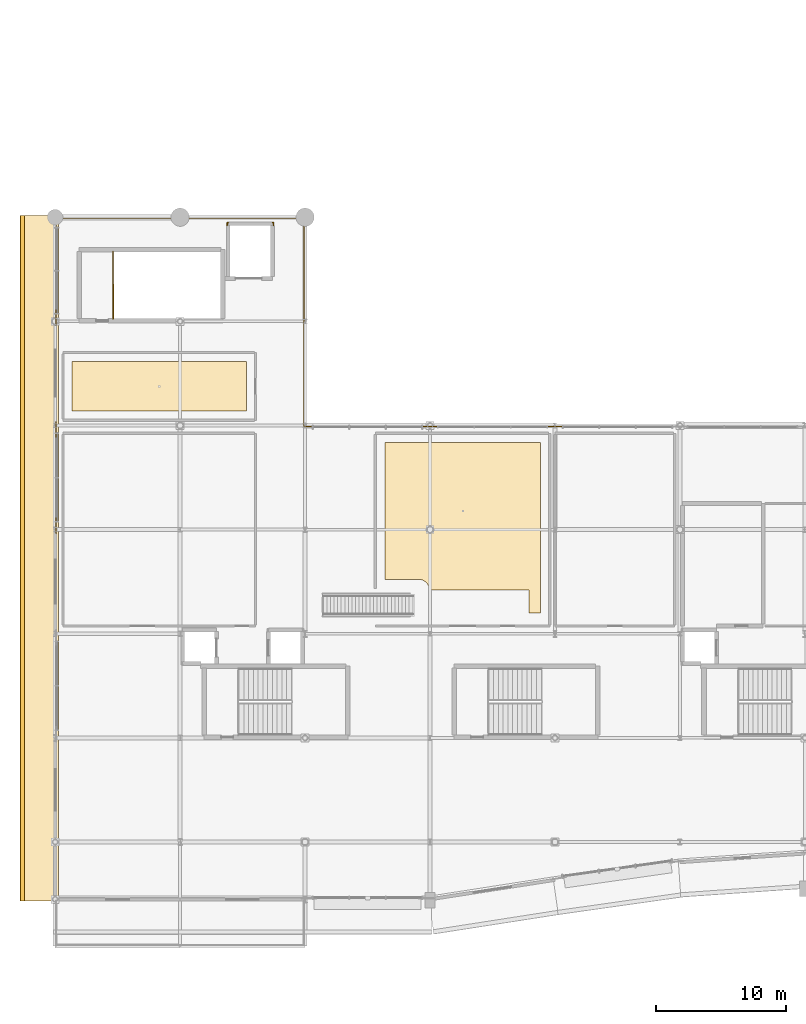
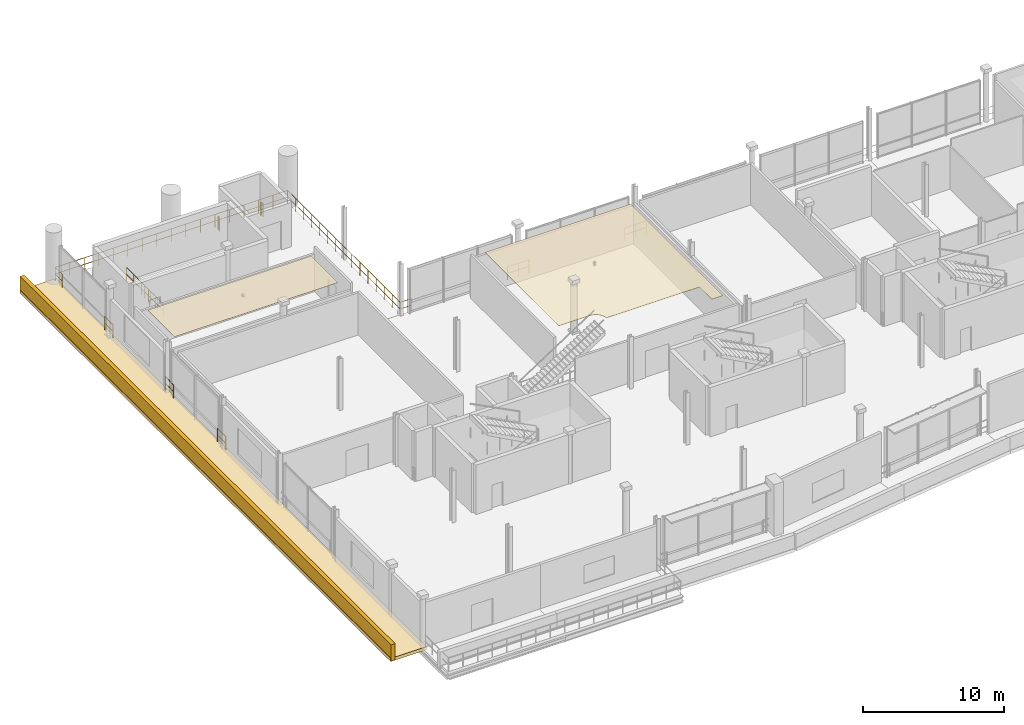
# One storey, part 50 of 59: 10 railings, 4 coverings.
"""IFC4 building model written with IfcOpenShell, lengths in metres."""

from ifc_helpers import new_model, si_unit, direction, frame, origin, origin_2d, place, context, subcontext, project, spatial, polyline, rectangle, circle, outline, extrude, material, layer, layer_set, type_object, element, save


model = new_model("IFC4")

# Units and contexts
model_context = context("Model", 3, precision=1e-05, world=origin(), true_north=direction((0.0, 1.0)))
body_context = subcontext(model_context, "Body", "Model", "MODEL_VIEW")
ifc_project = project(units=[si_unit("LENGTHUNIT", "METRE"), si_unit("AREAUNIT", "SQUARE_METRE"), si_unit("VOLUMEUNIT", "CUBIC_METRE"), si_unit("PLANEANGLEUNIT", "RADIAN"), si_unit("MASSUNIT", "GRAM", prefix="KILO")], contexts=[model_context])

# Site, building, storey
site_placement = place(None, origin())
site = spatial("IfcSite", under=ifc_project, at=site_placement, CompositionType="ELEMENT")
building_placement = place(site_placement, origin())
building = spatial("IfcBuilding", under=site, at=building_placement, Name="Danafjord Basin Convention Centre", CompositionType="ELEMENT")
storey_placement = place(building_placement, frame((0.0, 0.0, 15.89990234375)))
storey = spatial("IfcBuildingStorey", under=building, at=storey_placement, Name="L03", CompositionType="ELEMENT", Elevation=15.89990234375)

# Coverings
ifc_material_1 = material(Name="Architectural white precast concrete C45/55", Category="concrete")
ifc_layer_1 = layer(ifc_material_1, 0.320068359375)
ifc_layer_set_1 = layer_set([ifc_layer_1], Name="Architectural white precast concrete C45/55")
covering_type_1 = type_object("IfcCoveringType", Name="COV-BAND-HORIZ", PredefinedType="CLADDING", material=ifc_layer_set_1)
covering_1_placement = place(storey_placement, frame((-1.22509765625, 29.800048828125, -0.27978515625), z_axis=(0.0, 0.0, 1.0), x_axis=(0.0, -1.0, 0.0)))
element("IfcCovering", 1, at=covering_1_placement, inside=storey, type_object=covering_type_1, Name="L03 stepped horizontal band soffit plate 36", PredefinedType="CLADDING", context=body_context, shape_type="SweptSolid", body=[
    extrude(rectangle(XDim=52.639892578125, YDim=2.949951171875, at=origin_2d()), origin(), (0.0, 0.0, 1.0), 0.280029296875),
])
covering_2_placement = place(storey_placement, frame((-2.510009765625, 29.800048828125, -0.23974609375), z_axis=(0.0, 0.0, 1.0), x_axis=(0.0, -1.0, 0.0)))
element("IfcCovering", 2, at=covering_2_placement, inside=storey, type_object=covering_type_1, Name="L03 layered horizontal white spandrel band 36", PredefinedType="CLADDING", context=body_context, shape_type="SweptSolid", body=[
    extrude(rectangle(XDim=52.679931640625, YDim=0.320068359375, at=origin_2d()), origin(), (0.0, 0.0, 1.0), 1.419921875),
])
ifc_material_2 = material(Name="Acoustic mineral-fibre tile ceiling")
ifc_layer_2 = layer(ifc_material_2, 0.030029296875)
ifc_layer_set_2 = layer_set([ifc_layer_2], Name="Acoustic mineral-fibre tile ceiling")
covering_type_2 = type_object("IfcCoveringType", Name="COV-CLG-GYP01", PredefinedType="CEILING", material=ifc_layer_set_2)
covering_3_placement = place(storey_placement, frame((0.0, 0.0, 4.0)))
element("IfcCovering", 3, at=covering_3_placement, inside=storey, type_object=covering_type_2, Name="Skagerrak Boardroom Suite M302 acoustic ceiling", PredefinedType="CEILING", context=body_context, shape_type="SweptSolid", body=[
    extrude(outline(polyline([(28.759033203125, 27.368896484375), (28.758056640625, 27.385009765625), (28.7529296875, 27.43408203125), (28.7509765625, 27.448974609375), (28.73291015625, 27.535888671875), (28.72900390625, 27.551025390625), (28.717041015625, 27.592041015625), (28.7119140625, 27.60693359375), (28.674072265625, 27.698974609375), (28.6669921875, 27.712890625), (28.64892578125, 27.7470703125), (28.64111328125, 27.760986328125), (28.60888671875, 27.81201171875), (28.60009765625, 27.824951171875), (28.56103515625, 27.8759765625), (28.51904296875, 27.922119140625), (28.4970703125, 27.944091796875), (28.450927734375, 27.986083984375), (28.39990234375, 28.02490234375), (28.386962890625, 28.033935546875), (28.3359375, 28.06591796875), (28.322021484375, 28.073974609375), (28.2880859375, 28.092041015625), (28.27392578125, 28.09912109375), (28.181884765625, 28.136962890625), (28.1669921875, 28.14208984375), (28.1259765625, 28.154052734375), (28.111083984375, 28.157958984375), (28.02392578125, 28.176025390625), (28.009033203125, 28.177978515625), (27.9599609375, 28.18310546875), (27.944091796875, 28.18408203125), (27.89990234375, 28.18505859375), (25.35009765625, 28.18505859375), (25.35009765625, 38.699951171875), (37.300048828125, 38.699951171875), (37.300048828125, 25.590087890625), (36.39990234375, 25.590087890625), (36.39990234375, 27.35009765625), (28.759033203125, 27.35009765625), (28.759033203125, 27.368896484375)])), origin(), (0.0, 0.0, 1.0), 0.030029296875),
])
covering_4_placement = place(storey_placement, frame((0.0, 0.0, 3.64501953125)))
element("IfcCovering", 4, at=covering_4_placement, inside=storey, type_object=covering_type_2, Name="West Link Seminar Room M305 acoustic ceiling", PredefinedType="CEILING", context=body_context, shape_type="SweptSolid", body=[
    extrude(outline(polyline([(14.699951171875, 44.89990234375), (14.699951171875, 41.10009765625), (1.300048828125, 41.10009765625), (1.300048828125, 44.89990234375), (14.699951171875, 44.89990234375)])), origin(), (0.0, 0.0, 1.0), 0.030029296875),
])

# Railings
ifc_material_3 = material(Name="Laminated structural glass and stainless steel", Category="steel")
railing_type_1 = type_object("IfcRailingType", Name="RL-BAL-GLS", PredefinedType="BALUSTRADE", material=ifc_material_3)
for number, where, name in (
    (5, (0.080078125, 31.719970703125, 0.0), "L03 safety guard balustrade 235"),
    (6, (0.080078125, 39.1201171875, 0.0), "L03 safety guard balustrade 236"),
    (7, (0.080078125, 47.719970703125, 0.0), "L03 safety guard balustrade 237"),
):
    element("IfcRailing", number, at=place(storey_placement, frame(where)), inside=storey, type_object=railing_type_1, Name=name, PredefinedType="BALUSTRADE", context=body_context, shape_type="SweptSolid", body=[
        extrude(circle(Radius=0.02392578125, at=origin_2d()), frame((0.0, 0.0, 1.1259765625), z_axis=(0.0, 1.0, 0.0), x_axis=(-1.0, 0.0, 0.0)), (0.0, 0.0, 1.0), 1.159912109375),
        extrude(circle(Radius=0.02392578125, at=origin_2d()), frame((0.0, 0.0, 0.55078125), z_axis=(0.0, 1.0, 0.0), x_axis=(-1.0, 0.0, 0.0)), (0.0, 0.0, 1.0), 1.159912109375),
        extrude(circle(Radius=0.02099609375, at=origin_2d()), origin(), (0.0, 0.0, 1.0), 1.099853515625),
        extrude(circle(Radius=0.02099609375, at=origin_2d()), frame((0.0, 1.159912109375, 0.0)), (0.0, 0.0, 1.0), 1.099853515625),
    ])
railing_1_placement = place(storey_placement, frame((0.080078125, 54.919921875, 0.0)))
element("IfcRailing", 8, at=railing_1_placement, inside=storey, type_object=railing_type_1, Name="L03 safety guard balustrade 238", PredefinedType="BALUSTRADE", context=body_context, shape_type="SweptSolid", body=[
    extrude(circle(Radius=0.02392578125, at=origin_2d()), frame((0.0, 0.0, 1.1259765625), z_axis=(0.0, 1.0, 0.0), x_axis=(-1.0, 0.0, 0.0)), (0.0, 0.0, 1.0), 1.0),
    extrude(circle(Radius=0.02392578125, at=origin_2d()), frame((0.0, 0.0, 0.55078125), z_axis=(0.0, 1.0, 0.0), x_axis=(-1.0, 0.0, 0.0)), (0.0, 0.0, 1.0), 1.0),
    extrude(circle(Radius=0.02392578125, at=origin_2d()), frame((0.0, 1.0, 1.1259765625), z_axis=(1.0, 0.0, 0.0), x_axis=(0.0, 1.0, 0.0)), (0.0, 0.0, 1.0), 19.0400390625),
    extrude(circle(Radius=0.02392578125, at=origin_2d()), frame((0.0, 1.0, 0.55078125), z_axis=(1.0, 0.0, 0.0), x_axis=(0.0, 1.0, 0.0)), (0.0, 0.0, 1.0), 19.0400390625),
    extrude(circle(Radius=0.02392578125, at=origin_2d()), frame((19.0400390625, 1.0, 1.1259765625), z_axis=(0.0, -1.0, 0.0), x_axis=(1.0, 0.0, 0.0)), (0.0, 0.0, 1.0), 16.0),
    extrude(circle(Radius=0.02392578125, at=origin_2d()), frame((19.0400390625, 1.0, 0.55078125), z_axis=(0.0, -1.0, 0.0), x_axis=(1.0, 0.0, 0.0)), (0.0, 0.0, 1.0), 16.0),
    extrude(circle(Radius=0.02392578125, at=origin_2d()), frame((19.0400390625, -15.0, 1.1259765625), z_axis=(1.0, 0.0, 0.0), x_axis=(0.0, 1.0, 0.0)), (0.0, 0.0, 1.0), 0.9599609375),
    extrude(circle(Radius=0.02392578125, at=origin_2d()), frame((19.0400390625, -15.0, 0.55078125), z_axis=(1.0, 0.0, 0.0), x_axis=(0.0, 1.0, 0.0)), (0.0, 0.0, 1.0), 0.9599609375),
    extrude(circle(Radius=0.02099609375, at=origin_2d()), origin(), (0.0, 0.0, 1.0), 1.099853515625),
    extrude(circle(Radius=0.02099609375, at=origin_2d()), frame((0.0, 1.0, 0.0)), (0.0, 0.0, 1.0), 1.099853515625),
    extrude(circle(Radius=0.02099609375, at=origin_2d()), frame((1.18994140625, 1.0, 0.0)), (0.0, 0.0, 1.0), 1.099853515625),
    extrude(circle(Radius=0.02099609375, at=origin_2d()), frame((2.3798828125, 1.0, 0.0)), (0.0, 0.0, 1.0), 1.099853515625),
    extrude(circle(Radius=0.02099609375, at=origin_2d()), frame((3.570068359375, 1.0, 0.0)), (0.0, 0.0, 1.0), 1.099853515625),
    extrude(circle(Radius=0.02099609375, at=origin_2d()), frame((4.760009765625, 1.0, 0.0)), (0.0, 0.0, 1.0), 1.099853515625),
    extrude(circle(Radius=0.02099609375, at=origin_2d()), frame((5.949951171875, 1.0, 0.0)), (0.0, 0.0, 1.0), 1.099853515625),
    extrude(circle(Radius=0.02099609375, at=origin_2d()), frame((7.14013671875, 1.0, 0.0)), (0.0, 0.0, 1.0), 1.099853515625),
    extrude(circle(Radius=0.02099609375, at=origin_2d()), frame((8.330078125, 1.0, 0.0)), (0.0, 0.0, 1.0), 1.099853515625),
    extrude(circle(Radius=0.02099609375, at=origin_2d()), frame((9.52001953125, 1.0, 0.0)), (0.0, 0.0, 1.0), 1.099853515625),
    extrude(circle(Radius=0.02099609375, at=origin_2d()), frame((10.7099609375, 1.0, 0.0)), (0.0, 0.0, 1.0), 1.099853515625),
    extrude(circle(Radius=0.02099609375, at=origin_2d()), frame((11.89990234375, 1.0, 0.0)), (0.0, 0.0, 1.0), 1.099853515625),
    extrude(circle(Radius=0.02099609375, at=origin_2d()), frame((13.090087890625, 1.0, 0.0)), (0.0, 0.0, 1.0), 1.099853515625),
    extrude(circle(Radius=0.02099609375, at=origin_2d()), frame((14.280029296875, 1.0, 0.0)), (0.0, 0.0, 1.0), 1.099853515625),
    extrude(circle(Radius=0.02099609375, at=origin_2d()), frame((15.469970703125, 1.0, 0.0)), (0.0, 0.0, 1.0), 1.099853515625),
    extrude(circle(Radius=0.02099609375, at=origin_2d()), frame((16.66015625, 1.0, 0.0)), (0.0, 0.0, 1.0), 1.099853515625),
    extrude(circle(Radius=0.02099609375, at=origin_2d()), frame((17.85009765625, 1.0, 0.0)), (0.0, 0.0, 1.0), 1.099853515625),
    extrude(circle(Radius=0.02099609375, at=origin_2d()), frame((19.0400390625, 1.0, 0.0)), (0.0, 0.0, 1.0), 1.099853515625),
    extrude(circle(Radius=0.02099609375, at=origin_2d()), frame((19.0400390625, -0.142822265625, 0.0)), (0.0, 0.0, 1.0), 1.099853515625),
    extrude(circle(Radius=0.02099609375, at=origin_2d()), frame((19.0400390625, -1.28564453125, 0.0)), (0.0, 0.0, 1.0), 1.099853515625),
    extrude(circle(Radius=0.02099609375, at=origin_2d()), frame((19.0400390625, -2.428466796875, 0.0)), (0.0, 0.0, 1.0), 1.099853515625),
    extrude(circle(Radius=0.02099609375, at=origin_2d()), frame((19.0400390625, -3.571533203125, 0.0)), (0.0, 0.0, 1.0), 1.099853515625),
    extrude(circle(Radius=0.02099609375, at=origin_2d()), frame((19.0400390625, -4.71435546875, 0.0)), (0.0, 0.0, 1.0), 1.099853515625),
    extrude(circle(Radius=0.02099609375, at=origin_2d()), frame((19.0400390625, -5.857177734375, 0.0)), (0.0, 0.0, 1.0), 1.099853515625),
    extrude(circle(Radius=0.02099609375, at=origin_2d()), frame((19.0400390625, -7.0, 0.0)), (0.0, 0.0, 1.0), 1.099853515625),
    extrude(circle(Radius=0.02099609375, at=origin_2d()), frame((19.0400390625, -8.142822265625, 0.0)), (0.0, 0.0, 1.0), 1.099853515625),
    extrude(circle(Radius=0.02099609375, at=origin_2d()), frame((19.0400390625, -9.28564453125, 0.0)), (0.0, 0.0, 1.0), 1.099853515625),
    extrude(circle(Radius=0.02099609375, at=origin_2d()), frame((19.0400390625, -10.428466796875, 0.0)), (0.0, 0.0, 1.0), 1.099853515625),
    extrude(circle(Radius=0.02099609375, at=origin_2d()), frame((19.0400390625, -11.571533203125, 0.0)), (0.0, 0.0, 1.0), 1.099853515625),
    extrude(circle(Radius=0.02099609375, at=origin_2d()), frame((19.0400390625, -12.71435546875, 0.0)), (0.0, 0.0, 1.0), 1.099853515625),
    extrude(circle(Radius=0.02099609375, at=origin_2d()), frame((19.0400390625, -13.857177734375, 0.0)), (0.0, 0.0, 1.0), 1.099853515625),
    extrude(circle(Radius=0.02099609375, at=origin_2d()), frame((19.0400390625, -15.0, 0.0)), (0.0, 0.0, 1.0), 1.099853515625),
    extrude(circle(Radius=0.02099609375, at=origin_2d()), frame((20.0, -15.0, 0.0)), (0.0, 0.0, 1.0), 1.099853515625),
])
for number, where, name in (
    (9, (27.919921875, 39.919921875, 0.0), "L03 safety guard balustrade 239"),
    (10, (37.52001953125, 39.919921875, 0.0), "L03 safety guard balustrade 240"),
):
    element("IfcRailing", number, at=place(storey_placement, frame(where)), inside=storey, type_object=railing_type_1, Name=name, PredefinedType="BALUSTRADE", context=body_context, shape_type="SweptSolid", body=[
        extrude(circle(Radius=0.02392578125, at=origin_2d()), frame((0.0, 0.0, 1.1259765625), z_axis=(1.0, 0.0, 0.0), x_axis=(0.0, 1.0, 0.0)), (0.0, 0.0, 1.0), 1.760009765625),
        extrude(circle(Radius=0.02392578125, at=origin_2d()), frame((0.0, 0.0, 0.55078125), z_axis=(1.0, 0.0, 0.0), x_axis=(0.0, 1.0, 0.0)), (0.0, 0.0, 1.0), 1.760009765625),
        extrude(circle(Radius=0.02099609375, at=origin_2d()), origin(), (0.0, 0.0, 1.0), 1.099853515625),
        extrude(circle(Radius=0.02099609375, at=origin_2d()), frame((0.8798828125, 0.0, 0.0)), (0.0, 0.0, 1.0), 1.099853515625),
        extrude(circle(Radius=0.02099609375, at=origin_2d()), frame((1.760009765625, 0.0, 0.0)), (0.0, 0.0, 1.0), 1.099853515625),
    ])
railing_2_placement = place(storey_placement, frame((13.300048828125, 55.580078125, 0.0)))
element("IfcRailing", 11, at=railing_2_placement, inside=storey, type_object=railing_type_1, Name="L03 safety guard balustrade 276", PredefinedType="BALUSTRADE", context=body_context, shape_type="SweptSolid", body=[
    extrude(circle(Radius=0.02392578125, at=origin_2d()), frame((0.0, 0.0, 1.1259765625), z_axis=(-1.0, 0.0, 0.0), x_axis=(0.0, -1.0, 0.0)), (0.0, 0.0, 1.0), 0.080078125),
    extrude(circle(Radius=0.02392578125, at=origin_2d()), frame((0.0, 0.0, 0.55078125), z_axis=(-1.0, 0.0, 0.0), x_axis=(0.0, -1.0, 0.0)), (0.0, 0.0, 1.0), 0.080078125),
    extrude(circle(Radius=0.02392578125, at=origin_2d()), frame((-0.080078125, 0.0, 1.1259765625), z_axis=(0.0, -1.0, 0.0), x_axis=(1.0, 0.0, 0.0)), (0.0, 0.0, 1.0), 0.215087890625),
    extrude(circle(Radius=0.02392578125, at=origin_2d()), frame((-0.080078125, 0.0, 0.55078125), z_axis=(0.0, -1.0, 0.0), x_axis=(1.0, 0.0, 0.0)), (0.0, 0.0, 1.0), 0.215087890625),
    extrude(circle(Radius=0.02099609375, at=origin_2d()), origin(), (0.0, 0.0, 1.0), 1.099853515625),
    extrude(circle(Radius=0.02099609375, at=origin_2d()), frame((-0.080078125, 0.0, 0.0)), (0.0, 0.0, 1.0), 1.099853515625),
    extrude(circle(Radius=0.02099609375, at=origin_2d()), frame((-0.080078125, -0.215087890625, 0.0)), (0.0, 0.0, 1.0), 1.099853515625),
])
ifc_material_4 = material(Name="Galvanised and powder-coated steel S355", Category="steel")
railing_type_2 = type_object("IfcRailingType", Name="RL-BAL-STL", PredefinedType="BALUSTRADE", material=ifc_material_4)
railing_3_placement = place(storey_placement, frame((16.780029296875, 55.364990234375, 0.0)))
element("IfcRailing", 12, at=railing_3_placement, inside=storey, type_object=railing_type_2, Name="L03 safety guard balustrade 275", PredefinedType="BALUSTRADE", context=body_context, shape_type="SweptSolid", body=[
    extrude(circle(Radius=0.02392578125, at=origin_2d()), frame((0.0, 0.0, 1.1259765625), z_axis=(0.0, 1.0, 0.0), x_axis=(-1.0, 0.0, 0.0)), (0.0, 0.0, 1.0), 0.215087890625),
    extrude(circle(Radius=0.02392578125, at=origin_2d()), frame((0.0, 0.0, 0.55078125), z_axis=(0.0, 1.0, 0.0), x_axis=(-1.0, 0.0, 0.0)), (0.0, 0.0, 1.0), 0.215087890625),
    extrude(circle(Radius=0.02392578125, at=origin_2d()), frame((0.0, 0.215087890625, 1.1259765625), z_axis=(-1.0, 0.0, 0.0), x_axis=(0.0, -1.0, 0.0)), (0.0, 0.0, 1.0), 0.080078125),
    extrude(circle(Radius=0.02392578125, at=origin_2d()), frame((0.0, 0.215087890625, 0.55078125), z_axis=(-1.0, 0.0, 0.0), x_axis=(0.0, -1.0, 0.0)), (0.0, 0.0, 1.0), 0.080078125),
    extrude(circle(Radius=0.02099609375, at=origin_2d()), origin(), (0.0, 0.0, 1.0), 1.099853515625),
    extrude(circle(Radius=0.02099609375, at=origin_2d()), frame((0.0, 0.215087890625, 0.0)), (0.0, 0.0, 1.0), 1.099853515625),
    extrude(circle(Radius=0.02099609375, at=origin_2d()), frame((-0.080078125, 0.215087890625, 0.0)), (0.0, 0.0, 1.0), 1.099853515625),
])
railing_4_placement = place(storey_placement, frame((4.449951171875, 53.375, 0.0)))
element("IfcRailing", 13, at=railing_4_placement, inside=storey, type_object=railing_type_2, Name="L03 safety guard balustrade 277", PredefinedType="BALUSTRADE", context=body_context, shape_type="SweptSolid", body=[
    extrude(circle(Radius=0.02392578125, at=origin_2d()), frame((0.0, 0.0, 1.1259765625), z_axis=(0.0, -1.0, 0.0), x_axis=(1.0, 0.0, 0.0)), (0.0, 0.0, 1.0), 5.18994140625),
    extrude(circle(Radius=0.02392578125, at=origin_2d()), frame((0.0, 0.0, 0.55078125), z_axis=(0.0, -1.0, 0.0), x_axis=(1.0, 0.0, 0.0)), (0.0, 0.0, 1.0), 5.18994140625),
    extrude(circle(Radius=0.02099609375, at=origin_2d()), origin(), (0.0, 0.0, 1.0), 1.099853515625),
    extrude(circle(Radius=0.02099609375, at=origin_2d()), frame((0.0, -1.0380859375, 0.0)), (0.0, 0.0, 1.0), 1.099853515625),
    extrude(circle(Radius=0.02099609375, at=origin_2d()), frame((0.0, -2.075927734375, 0.0)), (0.0, 0.0, 1.0), 1.099853515625),
    extrude(circle(Radius=0.02099609375, at=origin_2d()), frame((0.0, -3.114013671875, 0.0)), (0.0, 0.0, 1.0), 1.099853515625),
    extrude(circle(Radius=0.02099609375, at=origin_2d()), frame((0.0, -4.15185546875, 0.0)), (0.0, 0.0, 1.0), 1.099853515625),
    extrude(circle(Radius=0.02099609375, at=origin_2d()), frame((0.0, -5.18994140625, 0.0)), (0.0, 0.0, 1.0), 1.099853515625),
])
ifc_material_5 = material(Name="Galvanised steel S355", Category="steel")
railing_type_3 = type_object("IfcRailingType", Name="RL-GD-WELL", PredefinedType="BALUSTRADE", material=ifc_material_5)
railing_5_placement = place(storey_placement, frame((4.47998046875, 48.2099609375, 0.0)))
element("IfcRailing", 14, at=railing_5_placement, inside=storey, type_object=railing_type_3, Name="L03 ST-07 top well guard 1", PredefinedType="BALUSTRADE", context=body_context, shape_type="SweptSolid", body=[
    extrude(circle(Radius=0.02392578125, at=origin_2d()), frame((0.0, 0.0, 1.076171875), z_axis=(0.0, 1.0, 0.0), x_axis=(-1.0, 0.0, 0.0)), (0.0, 0.0, 1.0), 2.64013671875),
    extrude(circle(Radius=0.02392578125, at=origin_2d()), frame((0.0, 0.0, 0.52587890625), z_axis=(0.0, 1.0, 0.0), x_axis=(-1.0, 0.0, 0.0)), (0.0, 0.0, 1.0), 2.64013671875),
    extrude(circle(Radius=0.02099609375, at=origin_2d()), origin(), (0.0, 0.0, 1.0), 1.050048828125),
    extrude(circle(Radius=0.02099609375, at=origin_2d()), frame((0.0, 0.880126953125, 0.0)), (0.0, 0.0, 1.0), 1.050048828125),
    extrude(circle(Radius=0.02099609375, at=origin_2d()), frame((0.0, 1.760009765625, 0.0)), (0.0, 0.0, 1.0), 1.050048828125),
    extrude(circle(Radius=0.02099609375, at=origin_2d()), frame((0.0, 2.64013671875, 0.0)), (0.0, 0.0, 1.0), 1.050048828125),
])

save(model, "model.ifc")
